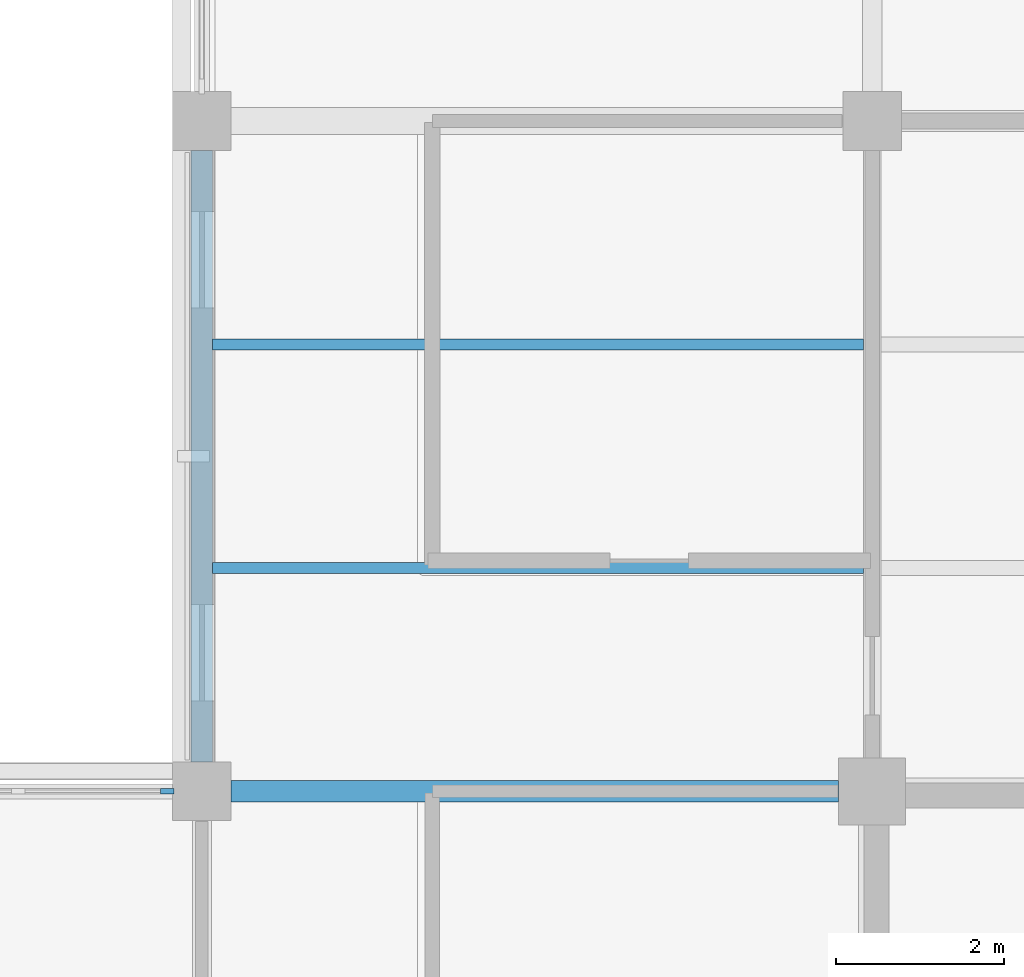
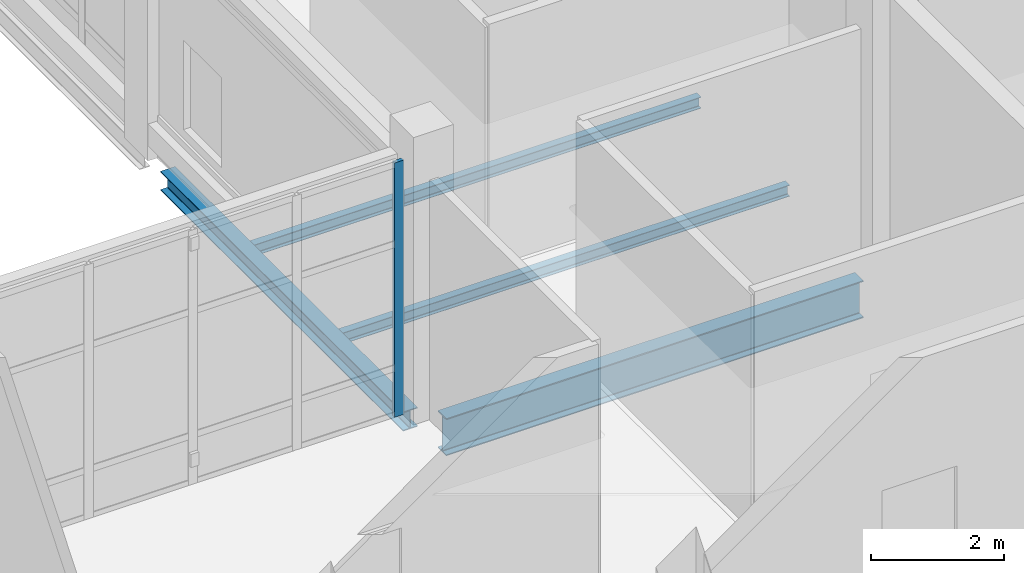
# One storey, part 17 of 105: 4 beams, 1 member, 1 element without a shape of its own.
"""IFC4 building model written with IfcOpenShell, lengths in metres."""

from ifc_helpers import new_model, si_unit, derived_unit, direction, frame, origin, origin_2d, place, context, subcontext, project, spatial, rectangle, i_section, extrude, material, layer, layer_set, material_profile, profile_set, type_object, element, aggregate, save


model = new_model("IFC4")

# Units and contexts
model_context = context("Model", 3, precision=1e-05, world=origin(), true_north=direction((0.0, 1.0)))
body_context = subcontext(model_context, "Body", "Model", "MODEL_VIEW")
ifc_project = project(units=[si_unit("LENGTHUNIT", "METRE"), si_unit("AREAUNIT", "SQUARE_METRE"), si_unit("VOLUMEUNIT", "CUBIC_METRE"), si_unit("PLANEANGLEUNIT", "RADIAN"), si_unit("MASSUNIT", "GRAM", prefix="KILO"), derived_unit("THERMALTRANSMITTANCEUNIT", [(si_unit("MASSUNIT", "GRAM", prefix="KILO"), 1), (si_unit("TIMEUNIT", "SECOND"), -3), (si_unit("THERMODYNAMICTEMPERATUREUNIT", "KELVIN"), -1)])], contexts=[model_context])

# Site, building, storey
site_placement = place(None, origin())
site = spatial("IfcSite", under=ifc_project, at=site_placement, CompositionType="ELEMENT")
building_placement = place(site_placement, origin())
building = spatial("IfcBuilding", under=site, at=building_placement, Name="Veyamyaing Civic Hall", CompositionType="ELEMENT")
storey_placement = place(building_placement, origin())
storey = spatial("IfcBuildingStorey", under=building, at=storey_placement, Name="L00", CompositionType="ELEMENT", Elevation=0.0)

# Beams
ifc_material_1 = material(Name="Steel ASTM A992", Category="steel")
ifc_material_profile_1 = material_profile(ifc_material_1, i_section(OverallWidth=0.25390625, OverallDepth=0.68408203125, WebThickness=0.012451171875, FlangeThickness=0.01904296875, FilletRadius=0.013916015625, at=origin_2d()), Name="W690X140")
ifc_profile_set_1 = profile_set([ifc_material_profile_1], Name="Steel ASTM A992")
beam_type_1 = type_object("IfcBeamType", Name="B-14", PredefinedType="BEAM", material=ifc_profile_set_1)
beam_1_placement = place(storey_placement, frame((56.35009765625, 56.0, -0.60693359375), z_axis=(1.0, 0.0, 0.0), x_axis=(0.0, 1.0, 0.0)))
element("IfcBeam", 1, at=beam_1_placement, inside=storey, type_object=beam_type_1, Name="Girder B-14 L00 Grid H 8-9", PredefinedType="BEAM", context=body_context, shape_type="SweptSolid", body=[
    extrude(i_section(OverallWidth=0.25390625, OverallDepth=0.68408203125, WebThickness=0.012451171875, FlangeThickness=0.01904296875, FilletRadius=0.013916015625, at=origin_2d()), origin(), (0.0, 0.0, 1.0), 7.25),
])
ifc_material_profile_2 = material_profile(ifc_material_1, i_section(OverallWidth=0.25390625, OverallDepth=0.35302734375, WebThickness=0.009521484375, FlangeThickness=0.016357421875, FilletRadius=0.011962890625, at=origin_2d()), Name="W360X91")
ifc_profile_set_2 = profile_set([ifc_material_profile_2], Name="Steel ASTM A992")
beam_type_2 = type_object("IfcBeamType", Name="B-20", PredefinedType="SPANDREL", material=ifc_profile_set_2)
beam_2_placement = place(storey_placement, frame((56.0, 56.35009765625, -0.44140625), z_axis=(0.0, 1.0, 0.0), x_axis=(-1.0, 0.0, 0.0)))
element("IfcBeam", 2, at=beam_2_placement, inside=storey, type_object=beam_type_2, Name="Girder B-20 L00 Grid 8 H-J", PredefinedType="SPANDREL", context=body_context, shape_type="SweptSolid", body=[
    extrude(i_section(OverallWidth=0.25390625, OverallDepth=0.35302734375, WebThickness=0.009521484375, FlangeThickness=0.016357421875, FilletRadius=0.011962890625, at=origin_2d()), origin(), (0.0, 0.0, 1.0), 7.2998046875),
])

# Curtain wall, member
ifc_material_2 = material(Name="Anodised aluminium 6063-T6", Category="aluminium")
ifc_layer = layer(ifc_material_2, 0.159912109375, Name="Anodised aluminium 6063-T6")
ifc_layer_set = layer_set([ifc_layer], Name="Anodised aluminium 6063-T6")
curtain_wall_type = type_object("IfcCurtainWallType", Name="CW-01", PredefinedType="NOTDEFINED", material=ifc_layer_set)
curtain_wall_placement = place(storey_placement, origin())
curtain_wall = element("IfcCurtainWall", 3, at=curtain_wall_placement, inside=storey, type_object=curtain_wall_type, Name="Unitized curtain wall CW-01 L00 N 7.7", PredefinedType="NOTDEFINED")
ifc_material_profile_3 = material_profile(ifc_material_2, rectangle(XDim=0.06494140625, YDim=0.159912109375, at=origin_2d()), Name="ALU-MUL-65X160")
ifc_profile_set_3 = profile_set([ifc_material_profile_3], Name="Anodised aluminium 6063-T6")
member_type = type_object("IfcMemberType", Name="CWM-01", PredefinedType="MULLION", material=ifc_profile_set_3)
member_placement = place(storey_placement, frame((55.58740234375, 56.0, 0.0), z_axis=(0.0, 0.0, 1.0), x_axis=(0.0, 1.0, 0.0)))
member = element("IfcMember", 4, at=member_placement, type_object=member_type, Name="CW-01 mullion 5", PredefinedType="MULLION", context=body_context, shape_type="SweptSolid", body=[
    extrude(rectangle(XDim=0.06494140625, YDim=0.159912109375, at=origin_2d()), origin(), (0.0, 0.0, 1.0), 4.674072265625),
])
aggregate(curtain_wall, [member])

# Beams
ifc_material_profile_4 = material_profile(ifc_material_1, i_section(OverallWidth=0.133056640625, OverallDepth=0.20703125, WebThickness=0.005859375, FlangeThickness=0.00830078125, FilletRadius=0.010009765625, at=origin_2d()), Name="W200X27")
ifc_profile_set_4 = profile_set([ifc_material_profile_4], Name="Steel ASTM A992")
beam_type_3 = type_object("IfcBeamType", Name="J-08", PredefinedType="JOIST", material=ifc_profile_set_4)
for number, where, z_axis, x_axis, name in (
    (5, (56.125, 58.666748046875, -0.368408203125), (1.0, 0.0, 0.0), (0.0, 1.0, 0.0), "Composite floor joist J-08 L00 8.8.1"),
    (6, (56.125, 61.333251953125, -0.368408203125), (1.0, 0.0, 0.0), (0.0, 1.0, 0.0), "Composite floor joist J-08 L00 8.8.2"),
):
    element("IfcBeam", number, at=place(storey_placement, frame(where, z_axis=z_axis, x_axis=x_axis)), inside=storey, type_object=beam_type_3, Name=name, PredefinedType="JOIST", context=body_context, shape_type="SweptSolid", body=[
        extrude(i_section(OverallWidth=0.133056640625, OverallDepth=0.20703125, WebThickness=0.005859375, FlangeThickness=0.00830078125, FilletRadius=0.010009765625, at=origin_2d()), origin(), (0.0, 0.0, 1.0), 7.77001953125),
    ])

save(model, "model.ifc")
